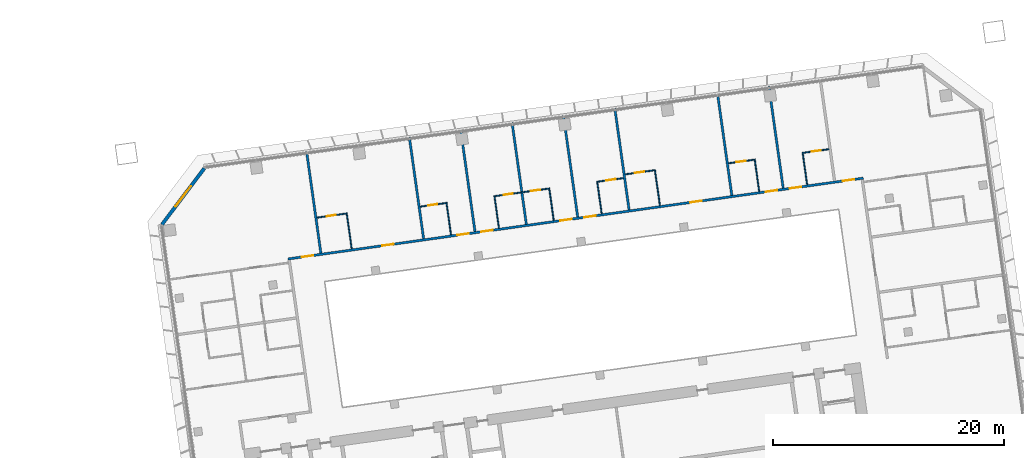
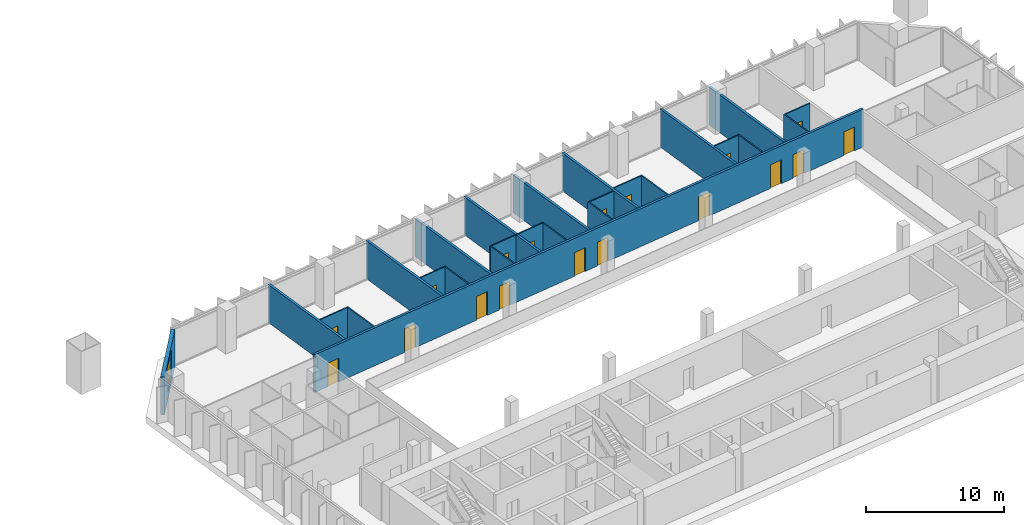
# One storey, part 20 of 24: 25 walls, 18 doors, 1 window, 19 openings.
"""IFC4 building model written with IfcOpenShell, lengths in metres."""

from ifc_helpers import new_model, si_unit, direction, frame, frame_2d, origin, place, context, subcontext, project, spatial, rectangle, extrude, material, layer, layer_set, type_object, element, fill, save


model = new_model("IFC4")

# Units and contexts
model_context = context("Model", 3, precision=1e-05, world=origin(), true_north=direction((0.0, 1.0)))
body_context = subcontext(model_context, "Body", "Model", "MODEL_VIEW")
ifc_project = project(units=[si_unit("LENGTHUNIT", "METRE"), si_unit("AREAUNIT", "SQUARE_METRE"), si_unit("VOLUMEUNIT", "CUBIC_METRE"), si_unit("PLANEANGLEUNIT", "RADIAN"), si_unit("MASSUNIT", "GRAM", prefix="KILO")], contexts=[model_context])

# Site, building, storey
site_placement = place(None, origin())
site = spatial("IfcSite", under=ifc_project, at=site_placement, CompositionType="ELEMENT")
building_placement = place(site_placement, origin())
building = spatial("IfcBuilding", under=site, at=building_placement, Name="Mirante Cascada Hotel Towers", CompositionType="ELEMENT")
storey_placement = place(building_placement, frame((0.0, 0.0, 50.9)))
storey = spatial("IfcBuildingStorey", under=building, at=storey_placement, Name="L09", CompositionType="ELEMENT", Elevation=50.9)

# Wall, openings, doors
ifc_material_1 = material(Name="Fire-rated plasterboard on metal studs")
ifc_layer_1 = layer(ifc_material_1, 0.2)
ifc_layer_set_1 = layer_set([ifc_layer_1], Name="Compartment wall 200 EI 120")
wall_type_1 = type_object("IfcWallType", Name="Compartment wall 200 EI 120", PredefinedType="PARTITIONING", material=ifc_layer_set_1)
wall_1_placement = place(storey_placement, frame((89.0146, 16.3922, 0.0), z_axis=(0.0, 0.0, 1.0), x_axis=(-0.9902681, -0.1391727, 0.0)))
wall_1 = element("IfcWall", 1, at=wall_1_placement, inside=storey, type_object=wall_type_1, Name="Wall 2-L09-19", PredefinedType="PARTITIONING", context=body_context, shape_type="SweptSolid", body=[
    extrude(rectangle(XDim=50.4, YDim=0.2, at=frame_2d((25.2, 0.0))), origin(), (0.0, 0.0, 1.0), 3.35),
])
opening_1_placement = place(wall_1_placement, frame((48.2, 0.0, 0.0)))
opening_1 = element("IfcOpeningElement", 2, at=opening_1_placement, cuts=wall_1, Name="Opening D2-L09-12", PredefinedType="OPENING", context=body_context, shape_type="SweptSolid", body=[
    extrude(rectangle(XDim=1.0, YDim=2.1, at=frame_2d((0.5, 1.05))), frame((0.0, 0.1, 0.0), z_axis=(0.0, -1.0, 0.0), x_axis=(1.0, 0.0, 0.0)), (0.0, 0.0, 1.0), 0.2),
])
opening_2_placement = place(wall_1_placement, frame((41.15, 0.0, 0.0)))
opening_2 = element("IfcOpeningElement", 3, at=opening_2_placement, cuts=wall_1, Name="Opening D2-L09-13", PredefinedType="OPENING", context=body_context, shape_type="SweptSolid", body=[
    extrude(rectangle(XDim=1.0, YDim=2.1, at=frame_2d((0.5, 1.05))), frame((0.0, 0.1, 0.0), z_axis=(0.0, -1.0, 0.0), x_axis=(1.0, 0.0, 0.0)), (0.0, 0.0, 1.0), 0.2),
])
opening_3_placement = place(wall_1_placement, frame((34.55, 0.0, 0.0)))
opening_3 = element("IfcOpeningElement", 4, at=opening_3_placement, cuts=wall_1, Name="Opening D2-L09-14", PredefinedType="OPENING", context=body_context, shape_type="SweptSolid", body=[
    extrude(rectangle(XDim=1.0, YDim=2.1, at=frame_2d((0.5, 1.05))), frame((0.0, 0.1, 0.0), z_axis=(0.0, -1.0, 0.0), x_axis=(1.0, 0.0, 0.0)), (0.0, 0.0, 1.0), 0.2),
])
opening_4_placement = place(wall_1_placement, frame((32.45, 0.0, 0.0)))
opening_4 = element("IfcOpeningElement", 5, at=opening_4_placement, cuts=wall_1, Name="Opening D2-L09-15", PredefinedType="OPENING", context=body_context, shape_type="SweptSolid", body=[
    extrude(rectangle(XDim=1.0, YDim=2.1, at=frame_2d((0.5, 1.05))), frame((0.0, 0.1, 0.0), z_axis=(0.0, -1.0, 0.0), x_axis=(1.0, 0.0, 0.0)), (0.0, 0.0, 1.0), 0.2),
])
opening_5_placement = place(wall_1_placement, frame((25.55, 0.0, 0.0)))
opening_5 = element("IfcOpeningElement", 6, at=opening_5_placement, cuts=wall_1, Name="Opening D2-L09-16", PredefinedType="OPENING", context=body_context, shape_type="SweptSolid", body=[
    extrude(rectangle(XDim=1.0, YDim=2.1, at=frame_2d((0.5, 1.05))), frame((0.0, 0.1, 0.0), z_axis=(0.0, -1.0, 0.0), x_axis=(1.0, 0.0, 0.0)), (0.0, 0.0, 1.0), 0.2),
])
opening_6_placement = place(wall_1_placement, frame((23.45, 0.0, 0.0)))
opening_6 = element("IfcOpeningElement", 7, at=opening_6_placement, cuts=wall_1, Name="Opening D2-L09-17", PredefinedType="OPENING", context=body_context, shape_type="SweptSolid", body=[
    extrude(rectangle(XDim=1.0, YDim=2.1, at=frame_2d((0.5, 1.05))), frame((0.0, 0.1, 0.0), z_axis=(0.0, -1.0, 0.0), x_axis=(1.0, 0.0, 0.0)), (0.0, 0.0, 1.0), 0.2),
])
opening_7_placement = place(wall_1_placement, frame((14.15, 0.0, 0.0)))
opening_7 = element("IfcOpeningElement", 8, at=opening_7_placement, cuts=wall_1, Name="Opening D2-L09-18", PredefinedType="OPENING", context=body_context, shape_type="SweptSolid", body=[
    extrude(rectangle(XDim=1.0, YDim=2.1, at=frame_2d((0.5, 1.05))), frame((0.0, 0.1, 0.0), z_axis=(0.0, -1.0, 0.0), x_axis=(1.0, 0.0, 0.0)), (0.0, 0.0, 1.0), 0.2),
])
opening_8_placement = place(wall_1_placement, frame((7.55, 0.0, 0.0)))
opening_8 = element("IfcOpeningElement", 9, at=opening_8_placement, cuts=wall_1, Name="Opening D2-L09-19", PredefinedType="OPENING", context=body_context, shape_type="SweptSolid", body=[
    extrude(rectangle(XDim=1.0, YDim=2.1, at=frame_2d((0.5, 1.05))), frame((0.0, 0.1, 0.0), z_axis=(0.0, -1.0, 0.0), x_axis=(1.0, 0.0, 0.0)), (0.0, 0.0, 1.0), 0.2),
])
opening_9_placement = place(wall_1_placement, frame((5.45, 0.0, 0.0)))
opening_9 = element("IfcOpeningElement", 10, at=opening_9_placement, cuts=wall_1, Name="Opening D2-L09-20", PredefinedType="OPENING", context=body_context, shape_type="SweptSolid", body=[
    extrude(rectangle(XDim=1.0, YDim=2.1, at=frame_2d((0.5, 1.05))), frame((0.0, 0.1, 0.0), z_axis=(0.0, -1.0, 0.0), x_axis=(1.0, 0.0, 0.0)), (0.0, 0.0, 1.0), 0.2),
])
opening_10_placement = place(wall_1_placement, frame((0.8, 0.0, 0.0)))
opening_10 = element("IfcOpeningElement", 11, at=opening_10_placement, cuts=wall_1, Name="Opening D2-L09-21", PredefinedType="OPENING", context=body_context, shape_type="SweptSolid", body=[
    extrude(rectangle(XDim=1.0, YDim=2.1, at=frame_2d((0.5, 1.05))), frame((0.0, 0.1, 0.0), z_axis=(0.0, -1.0, 0.0), x_axis=(1.0, 0.0, 0.0)), (0.0, 0.0, 1.0), 0.2),
])
ifc_material_2 = material(Name="Fire-rated timber door leaf", Category="wood")
door_type_1 = type_object("IfcDoorType", Name="Entrance door DG1 1000x2100 EI 60", OperationType="SINGLE_SWING_LEFT", PredefinedType="DOOR", material=ifc_material_2)
door_1_placement = place(opening_1_placement, frame((1.0, 0.0, 0.0), z_axis=(0.0, 0.0, 1.0), x_axis=(-1.0, 0.0, 0.0)))
door_1 = element("IfcDoor", 12, at=door_1_placement, inside=storey, type_object=door_type_1, Name="Door D2-L09-12", OperationType="SINGLE_SWING_RIGHT", OverallHeight=2.1, OverallWidth=1.0, PredefinedType="DOOR", context=body_context, shape_type="SweptSolid", body=[
    extrude(rectangle(XDim=1.0, YDim=2.1, at=frame_2d((0.5, 1.05))), frame((0.0, 0.025, 0.0), z_axis=(0.0, -1.0, 0.0), x_axis=(1.0, 0.0, 0.0)), (0.0, 0.0, 1.0), 0.05),
])
fill(opening_1, door_1)
door_2_placement = place(opening_2_placement, frame((1.0, 0.0, 0.0), z_axis=(0.0, 0.0, 1.0), x_axis=(-1.0, 0.0, 0.0)))
door_2 = element("IfcDoor", 13, at=door_2_placement, inside=storey, type_object=door_type_1, Name="Door D2-L09-13", OperationType="SINGLE_SWING_RIGHT", OverallHeight=2.1, OverallWidth=1.0, PredefinedType="DOOR", context=body_context, shape_type="SweptSolid", body=[
    extrude(rectangle(XDim=1.0, YDim=2.1, at=frame_2d((0.5, 1.05))), frame((0.0, 0.025, 0.0), z_axis=(0.0, -1.0, 0.0), x_axis=(1.0, 0.0, 0.0)), (0.0, 0.0, 1.0), 0.05),
])
fill(opening_2, door_2)
door_3_placement = place(opening_3_placement, frame((1.0, 0.0, 0.0), z_axis=(0.0, 0.0, 1.0), x_axis=(-1.0, 0.0, 0.0)))
door_3 = element("IfcDoor", 14, at=door_3_placement, inside=storey, type_object=door_type_1, Name="Door D2-L09-14", OperationType="SINGLE_SWING_RIGHT", OverallHeight=2.1, OverallWidth=1.0, PredefinedType="DOOR", context=body_context, shape_type="SweptSolid", body=[
    extrude(rectangle(XDim=1.0, YDim=2.1, at=frame_2d((0.5, 1.05))), frame((0.0, 0.025, 0.0), z_axis=(0.0, -1.0, 0.0), x_axis=(1.0, 0.0, 0.0)), (0.0, 0.0, 1.0), 0.05),
])
fill(opening_3, door_3)
door_4_placement = place(opening_4_placement, frame((1.0, 0.0, 0.0), z_axis=(0.0, 0.0, 1.0), x_axis=(-1.0, 0.0, 0.0)))
door_4 = element("IfcDoor", 15, at=door_4_placement, inside=storey, type_object=door_type_1, Name="Door D2-L09-15", OperationType="SINGLE_SWING_RIGHT", OverallHeight=2.1, OverallWidth=1.0, PredefinedType="DOOR", context=body_context, shape_type="SweptSolid", body=[
    extrude(rectangle(XDim=1.0, YDim=2.1, at=frame_2d((0.5, 1.05))), frame((0.0, 0.025, 0.0), z_axis=(0.0, -1.0, 0.0), x_axis=(1.0, 0.0, 0.0)), (0.0, 0.0, 1.0), 0.05),
])
fill(opening_4, door_4)
door_5_placement = place(opening_5_placement, frame((1.0, 0.0, 0.0), z_axis=(0.0, 0.0, 1.0), x_axis=(-1.0, 0.0, 0.0)))
door_5 = element("IfcDoor", 16, at=door_5_placement, inside=storey, type_object=door_type_1, Name="Door D2-L09-16", OperationType="SINGLE_SWING_RIGHT", OverallHeight=2.1, OverallWidth=1.0, PredefinedType="DOOR", context=body_context, shape_type="SweptSolid", body=[
    extrude(rectangle(XDim=1.0, YDim=2.1, at=frame_2d((0.5, 1.05))), frame((0.0, 0.025, 0.0), z_axis=(0.0, -1.0, 0.0), x_axis=(1.0, 0.0, 0.0)), (0.0, 0.0, 1.0), 0.05),
])
fill(opening_5, door_5)
door_6_placement = place(opening_6_placement, frame((1.0, 0.0, 0.0), z_axis=(0.0, 0.0, 1.0), x_axis=(-1.0, 0.0, 0.0)))
door_6 = element("IfcDoor", 17, at=door_6_placement, inside=storey, type_object=door_type_1, Name="Door D2-L09-17", OperationType="SINGLE_SWING_RIGHT", OverallHeight=2.1, OverallWidth=1.0, PredefinedType="DOOR", context=body_context, shape_type="SweptSolid", body=[
    extrude(rectangle(XDim=1.0, YDim=2.1, at=frame_2d((0.5, 1.05))), frame((0.0, 0.025, 0.0), z_axis=(0.0, -1.0, 0.0), x_axis=(1.0, 0.0, 0.0)), (0.0, 0.0, 1.0), 0.05),
])
fill(opening_6, door_6)
door_7_placement = place(opening_7_placement, frame((1.0, 0.0, 0.0), z_axis=(0.0, 0.0, 1.0), x_axis=(-1.0, 0.0, 0.0)))
door_7 = element("IfcDoor", 18, at=door_7_placement, inside=storey, type_object=door_type_1, Name="Door D2-L09-18", OperationType="SINGLE_SWING_RIGHT", OverallHeight=2.1, OverallWidth=1.0, PredefinedType="DOOR", context=body_context, shape_type="SweptSolid", body=[
    extrude(rectangle(XDim=1.0, YDim=2.1, at=frame_2d((0.5, 1.05))), frame((0.0, 0.025, 0.0), z_axis=(0.0, -1.0, 0.0), x_axis=(1.0, 0.0, 0.0)), (0.0, 0.0, 1.0), 0.05),
])
fill(opening_7, door_7)
door_8_placement = place(opening_8_placement, frame((1.0, 0.0, 0.0), z_axis=(0.0, 0.0, 1.0), x_axis=(-1.0, 0.0, 0.0)))
door_8 = element("IfcDoor", 19, at=door_8_placement, inside=storey, type_object=door_type_1, Name="Door D2-L09-19", OperationType="SINGLE_SWING_RIGHT", OverallHeight=2.1, OverallWidth=1.0, PredefinedType="DOOR", context=body_context, shape_type="SweptSolid", body=[
    extrude(rectangle(XDim=1.0, YDim=2.1, at=frame_2d((0.5, 1.05))), frame((0.0, 0.025, 0.0), z_axis=(0.0, -1.0, 0.0), x_axis=(1.0, 0.0, 0.0)), (0.0, 0.0, 1.0), 0.05),
])
fill(opening_8, door_8)
door_9_placement = place(opening_9_placement, frame((1.0, 0.0, 0.0), z_axis=(0.0, 0.0, 1.0), x_axis=(-1.0, 0.0, 0.0)))
door_9 = element("IfcDoor", 20, at=door_9_placement, inside=storey, type_object=door_type_1, Name="Door D2-L09-20", OperationType="SINGLE_SWING_RIGHT", OverallHeight=2.1, OverallWidth=1.0, PredefinedType="DOOR", context=body_context, shape_type="SweptSolid", body=[
    extrude(rectangle(XDim=1.0, YDim=2.1, at=frame_2d((0.5, 1.05))), frame((0.0, 0.025, 0.0), z_axis=(0.0, -1.0, 0.0), x_axis=(1.0, 0.0, 0.0)), (0.0, 0.0, 1.0), 0.05),
])
fill(opening_9, door_9)
door_10_placement = place(opening_10_placement, frame((1.0, 0.0, 0.0), z_axis=(0.0, 0.0, 1.0), x_axis=(-1.0, 0.0, 0.0)))
door_10 = element("IfcDoor", 21, at=door_10_placement, inside=storey, type_object=door_type_1, Name="Door D2-L09-21", OperationType="SINGLE_SWING_RIGHT", OverallHeight=2.1, OverallWidth=1.0, PredefinedType="DOOR", context=body_context, shape_type="SweptSolid", body=[
    extrude(rectangle(XDim=1.0, YDim=2.1, at=frame_2d((0.5, 1.05))), frame((0.0, 0.025, 0.0), z_axis=(0.0, -1.0, 0.0), x_axis=(1.0, 0.0, 0.0)), (0.0, 0.0, 1.0), 0.05),
])
fill(opening_10, door_10)

# Walls
for number, where, z_axis, x_axis, name in (
    (22, (40.7243, 18.6939, 0.0), (0.0, 0.0, 1.0), (0.1391794, -0.9902672, 0.0), "Wall 2-L09-33"),
    (23, (49.6367, 19.9465, 0.0), (0.0, 0.0, 1.0), (0.1391794, -0.9902672, 0.0), "Wall 2-L09-35"),
    (24, (54.0929, 20.5728, 0.0), (0.0, 0.0, 1.0), (0.1391794, -0.9902672, 0.0), "Wall 2-L09-37"),
):
    element("IfcWall", number, at=place(storey_placement, frame(where, z_axis=z_axis, x_axis=x_axis)), inside=storey, type_object=wall_type_1, Name=name, PredefinedType="PARTITIONING", context=body_context, shape_type="SweptSolid", body=[
        extrude(rectangle(XDim=8.9, YDim=0.2, at=frame_2d((4.45, 0.0))), origin(), (0.0, 0.0, 1.0), 3.35),
    ])
wall_2_placement = place(storey_placement, frame((58.5492, 21.199, 0.0), z_axis=(0.0, 0.0, 1.0), x_axis=(0.13917, -0.9902685, 0.0)))
element("IfcWall", 25, at=wall_2_placement, inside=storey, type_object=wall_type_1, Name="Wall 2-L09-39", PredefinedType="PARTITIONING", context=body_context, shape_type="SweptSolid", body=[
    extrude(rectangle(XDim=8.8999, YDim=0.2, at=frame_2d((4.45, 0.0))), origin(), (0.0, 0.0, 1.0), 3.35),
])
for number, where, z_axis, x_axis, name in (
    (26, (63.0054, 21.8253, 0.0), (0.0, 0.0, 1.0), (0.1391684, -0.9902687, 0.0), "Wall 2-L09-41"),
    (27, (67.4616, 22.4516, 0.0), (0.0, 0.0, 1.0), (0.1391684, -0.9902687, 0.0), "Wall 2-L09-43"),
    (28, (76.374, 23.7042, 0.0), (0.0, 0.0, 1.0), (0.1391684, -0.9902687, 0.0), "Wall 2-L09-45"),
):
    element("IfcWall", number, at=place(storey_placement, frame(where, z_axis=z_axis, x_axis=x_axis)), inside=storey, type_object=wall_type_1, Name=name, PredefinedType="PARTITIONING", context=body_context, shape_type="SweptSolid", body=[
        extrude(rectangle(XDim=8.9, YDim=0.2, at=frame_2d((4.45, 0.0))), origin(), (0.0, 0.0, 1.0), 3.35),
    ])
wall_3_placement = place(storey_placement, frame((80.8302, 24.3304, 0.0), z_axis=(0.0, 0.0, 1.0), x_axis=(0.13917, -0.9902685, 0.0)))
element("IfcWall", 29, at=wall_3_placement, inside=storey, type_object=wall_type_1, Name="Wall 2-L09-47", PredefinedType="PARTITIONING", context=body_context, shape_type="SweptSolid", body=[
    extrude(rectangle(XDim=8.8999, YDim=0.2, at=frame_2d((4.45, 0.0))), origin(), (0.0, 0.0, 1.0), 3.35),
])

# Wall, opening, door
ifc_material_3 = material(Name="Plasterboard on metal studs")
ifc_layer_2 = layer(ifc_material_3, 0.1)
ifc_layer_set_2 = layer_set([ifc_layer_2], Name="Partition 100")
wall_type_2 = type_object("IfcWallType", Name="Partition 100", PredefinedType="PARTITIONING", material=ifc_layer_set_2)
wall_4_placement = place(storey_placement, frame((50.5847, 13.9198, 0.0), z_axis=(0.0, 0.0, 1.0), x_axis=(0.9902705, 0.1391561, 0.0)))
wall_4 = element("IfcWall", 30, at=wall_4_placement, inside=storey, type_object=wall_type_2, Name="Wall 2-L09-20", PredefinedType="PARTITIONING", context=body_context, shape_type="SweptSolid", body=[
    extrude(rectangle(XDim=2.25, YDim=0.1, at=frame_2d((1.125, 0.0))), origin(), (0.0, 0.0, 1.0), 3.35),
])
opening_11_placement = place(wall_4_placement, frame((0.7, 0.0, 0.0)))
opening_11 = element("IfcOpeningElement", 31, at=opening_11_placement, cuts=wall_4, Name="Opening D2-L09-22", PredefinedType="OPENING", context=body_context, shape_type="SweptSolid", body=[
    extrude(rectangle(XDim=0.8, YDim=2.1, at=frame_2d((0.4, 1.05))), frame((0.0, 0.05, 0.0), z_axis=(0.0, -1.0, 0.0), x_axis=(1.0, 0.0, 0.0)), (0.0, 0.0, 1.0), 0.1),
])
ifc_material_4 = material(Name="Timber door leaf", Category="wood")
door_type_2 = type_object("IfcDoorType", Name="Bathroom door DG4 800x2100", OperationType="SINGLE_SWING_LEFT", PredefinedType="DOOR", material=ifc_material_4)
door_11_placement = place(opening_11_placement, origin())
door_11 = element("IfcDoor", 32, at=door_11_placement, inside=storey, type_object=door_type_2, Name="Door D2-L09-22", OperationType="SINGLE_SWING_LEFT", OverallHeight=2.1, OverallWidth=0.8, PredefinedType="DOOR", context=body_context, shape_type="SweptSolid", body=[
    extrude(rectangle(XDim=0.8, YDim=2.1, at=frame_2d((0.4, 1.05))), frame((0.0, 0.025, 0.0), z_axis=(0.0, -1.0, 0.0), x_axis=(1.0, 0.0, 0.0)), (0.0, 0.0, 1.0), 0.05),
])
fill(opening_11, door_11)

# Wall, openings, doors
wall_5_placement = place(storey_placement, frame((61.8243, 15.4994, 0.0), z_axis=(0.0, 0.0, 1.0), x_axis=(-0.9902666, -0.1391838, 0.0)))
wall_5 = element("IfcWall", 33, at=wall_5_placement, inside=storey, type_object=wall_type_2, Name="Wall 2-L09-21", PredefinedType="PARTITIONING", context=body_context, shape_type="SweptSolid", body=[
    extrude(rectangle(XDim=4.9, YDim=0.1, at=frame_2d((2.45, 0.0))), origin(), (0.0, 0.0, 1.0), 3.35),
])
opening_12_placement = place(wall_5_placement, frame((3.25, 0.0, 0.0)))
opening_12 = element("IfcOpeningElement", 34, at=opening_12_placement, cuts=wall_5, Name="Opening D2-L09-23", PredefinedType="OPENING", context=body_context, shape_type="SweptSolid", body=[
    extrude(rectangle(XDim=0.8, YDim=2.1, at=frame_2d((0.4, 1.05))), frame((0.0, 0.05, 0.0), z_axis=(0.0, -1.0, 0.0), x_axis=(1.0, 0.0, 0.0)), (0.0, 0.0, 1.0), 0.1),
])
opening_13_placement = place(wall_5_placement, frame((0.85, 0.0, 0.0)))
opening_13 = element("IfcOpeningElement", 35, at=opening_13_placement, cuts=wall_5, Name="Opening D2-L09-24", PredefinedType="OPENING", context=body_context, shape_type="SweptSolid", body=[
    extrude(rectangle(XDim=0.8, YDim=2.1, at=frame_2d((0.4, 1.05))), frame((0.0, 0.05, 0.0), z_axis=(0.0, -1.0, 0.0), x_axis=(1.0, 0.0, 0.0)), (0.0, 0.0, 1.0), 0.1),
])
door_12_placement = place(opening_12_placement, frame((0.8, 0.0, 0.0), z_axis=(0.0, 0.0, 1.0), x_axis=(-1.0, 0.0, 0.0)))
door_12 = element("IfcDoor", 36, at=door_12_placement, inside=storey, type_object=door_type_2, Name="Door D2-L09-23", OperationType="SINGLE_SWING_RIGHT", OverallHeight=2.1, OverallWidth=0.8, PredefinedType="DOOR", context=body_context, shape_type="SweptSolid", body=[
    extrude(rectangle(XDim=0.8, YDim=2.1, at=frame_2d((0.4, 1.05))), frame((0.0, 0.025, 0.0), z_axis=(0.0, -1.0, 0.0), x_axis=(1.0, 0.0, 0.0)), (0.0, 0.0, 1.0), 0.05),
])
fill(opening_12, door_12)
door_13_placement = place(opening_13_placement, frame((0.8, 0.0, 0.0), z_axis=(0.0, 0.0, 1.0), x_axis=(-1.0, 0.0, 0.0)))
door_13 = element("IfcDoor", 37, at=door_13_placement, inside=storey, type_object=door_type_2, Name="Door D2-L09-24", OperationType="SINGLE_SWING_RIGHT", OverallHeight=2.1, OverallWidth=0.8, PredefinedType="DOOR", context=body_context, shape_type="SweptSolid", body=[
    extrude(rectangle(XDim=0.8, YDim=2.1, at=frame_2d((0.4, 1.05))), frame((0.0, 0.025, 0.0), z_axis=(0.0, -1.0, 0.0), x_axis=(1.0, 0.0, 0.0)), (0.0, 0.0, 1.0), 0.05),
])
fill(opening_13, door_13)

# Wall, opening, door
wall_6_placement = place(storey_placement, frame((65.9834, 16.0839, 0.0), z_axis=(0.0, 0.0, 1.0), x_axis=(0.9902643, 0.1391997, 0.0)))
wall_6 = element("IfcWall", 38, at=wall_6_placement, inside=storey, type_object=wall_type_2, Name="Wall 2-L09-22", PredefinedType="PARTITIONING", context=body_context, shape_type="SweptSolid", body=[
    extrude(rectangle(XDim=2.25, YDim=0.1, at=frame_2d((1.125, 0.0))), origin(), (0.0, 0.0, 1.0), 3.35),
])
opening_14_placement = place(wall_6_placement, frame((0.75, 0.0, 0.0)))
opening_14 = element("IfcOpeningElement", 39, at=opening_14_placement, cuts=wall_6, Name="Opening D2-L09-25", PredefinedType="OPENING", context=body_context, shape_type="SweptSolid", body=[
    extrude(rectangle(XDim=0.8, YDim=2.1, at=frame_2d((0.4, 1.05))), frame((0.0, 0.05, 0.0), z_axis=(0.0, -1.0, 0.0), x_axis=(1.0, 0.0, 0.0)), (0.0, 0.0, 1.0), 0.1),
])
door_14_placement = place(opening_14_placement, origin())
door_14 = element("IfcDoor", 40, at=door_14_placement, inside=storey, type_object=door_type_2, Name="Door D2-L09-25", OperationType="SINGLE_SWING_LEFT", OverallHeight=2.1, OverallWidth=0.8, PredefinedType="DOOR", context=body_context, shape_type="SweptSolid", body=[
    extrude(rectangle(XDim=0.8, YDim=2.1, at=frame_2d((0.4, 1.05))), frame((0.0, 0.025, 0.0), z_axis=(0.0, -1.0, 0.0), x_axis=(1.0, 0.0, 0.0)), (0.0, 0.0, 1.0), 0.05),
])
fill(opening_14, door_14)

wall_7_placement = place(storey_placement, frame((79.5501, 17.9906, 0.0), z_axis=(0.0, 0.0, 1.0), x_axis=(-0.9902643, -0.1391997, 0.0)))
wall_7 = element("IfcWall", 41, at=wall_7_placement, inside=storey, type_object=wall_type_2, Name="Wall 2-L09-23", PredefinedType="PARTITIONING", context=body_context, shape_type="SweptSolid", body=[
    extrude(rectangle(XDim=2.25, YDim=0.1, at=frame_2d((1.125, 0.0))), origin(), (0.0, 0.0, 1.0), 3.35),
])
opening_15_placement = place(wall_7_placement, frame((0.75, 0.0, 0.0)))
opening_15 = element("IfcOpeningElement", 42, at=opening_15_placement, cuts=wall_7, Name="Opening D2-L09-26", PredefinedType="OPENING", context=body_context, shape_type="SweptSolid", body=[
    extrude(rectangle(XDim=0.8, YDim=2.1, at=frame_2d((0.4, 1.05))), frame((0.0, 0.05, 0.0), z_axis=(0.0, -1.0, 0.0), x_axis=(1.0, 0.0, 0.0)), (0.0, 0.0, 1.0), 0.1),
])
door_15_placement = place(opening_15_placement, frame((0.8, 0.0, 0.0), z_axis=(0.0, 0.0, 1.0), x_axis=(-1.0, 0.0, 0.0)))
door_15 = element("IfcDoor", 43, at=door_15_placement, inside=storey, type_object=door_type_2, Name="Door D2-L09-26", OperationType="SINGLE_SWING_RIGHT", OverallHeight=2.1, OverallWidth=0.8, PredefinedType="DOOR", context=body_context, shape_type="SweptSolid", body=[
    extrude(rectangle(XDim=0.8, YDim=2.1, at=frame_2d((0.4, 1.05))), frame((0.0, 0.025, 0.0), z_axis=(0.0, -1.0, 0.0), x_axis=(1.0, 0.0, 0.0)), (0.0, 0.0, 1.0), 0.05),
])
fill(opening_15, door_15)

wall_8_placement = place(storey_placement, frame((83.8082, 18.589, 0.0), z_axis=(0.0, 0.0, 1.0), x_axis=(0.9902643, 0.1391997, 0.0)))
wall_8 = element("IfcWall", 44, at=wall_8_placement, inside=storey, type_object=wall_type_2, Name="Wall 2-L09-24", PredefinedType="PARTITIONING", context=body_context, shape_type="SweptSolid", body=[
    extrude(rectangle(XDim=2.25, YDim=0.1, at=frame_2d((1.125, 0.0))), origin(), (0.0, 0.0, 1.0), 3.35),
])
opening_16_placement = place(wall_8_placement, frame((0.75, 0.0, 0.0)))
opening_16 = element("IfcOpeningElement", 45, at=opening_16_placement, cuts=wall_8, Name="Opening D2-L09-27", PredefinedType="OPENING", context=body_context, shape_type="SweptSolid", body=[
    extrude(rectangle(XDim=0.8, YDim=2.1, at=frame_2d((0.4, 1.05))), frame((0.0, 0.05, 0.0), z_axis=(0.0, -1.0, 0.0), x_axis=(1.0, 0.0, 0.0)), (0.0, 0.0, 1.0), 0.1),
])
door_16_placement = place(opening_16_placement, origin())
door_16 = element("IfcDoor", 46, at=door_16_placement, inside=storey, type_object=door_type_2, Name="Door D2-L09-27", OperationType="SINGLE_SWING_LEFT", OverallHeight=2.1, OverallWidth=0.8, PredefinedType="DOOR", context=body_context, shape_type="SweptSolid", body=[
    extrude(rectangle(XDim=0.8, YDim=2.1, at=frame_2d((0.4, 1.05))), frame((0.0, 0.025, 0.0), z_axis=(0.0, -1.0, 0.0), x_axis=(1.0, 0.0, 0.0)), (0.0, 0.0, 1.0), 0.05),
])
fill(opening_16, door_16)

wall_9_placement = place(storey_placement, frame((44.1557, 13.3192, 0.0), z_axis=(0.0, 0.0, 1.0), x_axis=(-0.990267, -0.1391809, 0.0)))
wall_9 = element("IfcWall", 47, at=wall_9_placement, inside=storey, type_object=wall_type_2, Name="Wall 2-L09-25", PredefinedType="PARTITIONING", context=body_context, shape_type="SweptSolid", body=[
    extrude(rectangle(XDim=2.5499, YDim=0.1, at=frame_2d((1.275, 0.0))), origin(), (0.0, 0.0, 1.0), 3.35),
])
opening_17_placement = place(wall_9_placement, frame((0.9, 0.0, 0.0)))
opening_17 = element("IfcOpeningElement", 48, at=opening_17_placement, cuts=wall_9, Name="Opening D2-L09-28", PredefinedType="OPENING", context=body_context, shape_type="SweptSolid", body=[
    extrude(rectangle(XDim=0.8, YDim=2.1, at=frame_2d((0.4, 1.05))), frame((0.0, 0.05, 0.0), z_axis=(0.0, -1.0, 0.0), x_axis=(1.0, 0.0, 0.0)), (0.0, 0.0, 1.0), 0.1),
])
door_17_placement = place(opening_17_placement, frame((0.8, 0.0, 0.0), z_axis=(0.0, 0.0, 1.0), x_axis=(-1.0, 0.0, 0.0)))
door_17 = element("IfcDoor", 49, at=door_17_placement, inside=storey, type_object=door_type_2, Name="Door D2-L09-28", OperationType="SINGLE_SWING_RIGHT", OverallHeight=2.1, OverallWidth=0.8, PredefinedType="DOOR", context=body_context, shape_type="SweptSolid", body=[
    extrude(rectangle(XDim=0.8, YDim=2.1, at=frame_2d((0.4, 1.05))), frame((0.0, 0.025, 0.0), z_axis=(0.0, -1.0, 0.0), x_axis=(1.0, 0.0, 0.0)), (0.0, 0.0, 1.0), 0.05),
])
fill(opening_17, door_17)

wall_10_placement = place(storey_placement, frame((68.3678, 16.722, 0.0), z_axis=(0.0, 0.0, 1.0), x_axis=(0.9902677, 0.1391755, 0.0)))
wall_10 = element("IfcWall", 50, at=wall_10_placement, inside=storey, type_object=wall_type_2, Name="Wall 2-L09-26", PredefinedType="PARTITIONING", context=body_context, shape_type="SweptSolid", body=[
    extrude(rectangle(XDim=2.55, YDim=0.1, at=frame_2d((1.275, 0.0))), origin(), (0.0, 0.0, 1.0), 3.35),
])
opening_18_placement = place(wall_10_placement, frame((0.85, 0.0, 0.0)))
opening_18 = element("IfcOpeningElement", 51, at=opening_18_placement, cuts=wall_10, Name="Opening D2-L09-29", PredefinedType="OPENING", context=body_context, shape_type="SweptSolid", body=[
    extrude(rectangle(XDim=0.8, YDim=2.1, at=frame_2d((0.4, 1.05))), frame((0.0, 0.05, 0.0), z_axis=(0.0, -1.0, 0.0), x_axis=(1.0, 0.0, 0.0)), (0.0, 0.0, 1.0), 0.1),
])
door_18_placement = place(opening_18_placement, origin())
door_18 = element("IfcDoor", 52, at=door_18_placement, inside=storey, type_object=door_type_2, Name="Door D2-L09-29", OperationType="SINGLE_SWING_LEFT", OverallHeight=2.1, OverallWidth=0.8, PredefinedType="DOOR", context=body_context, shape_type="SweptSolid", body=[
    extrude(rectangle(XDim=0.8, YDim=2.1, at=frame_2d((0.4, 1.05))), frame((0.0, 0.025, 0.0), z_axis=(0.0, -1.0, 0.0), x_axis=(1.0, 0.0, 0.0)), (0.0, 0.0, 1.0), 0.05),
])
fill(opening_18, door_18)

# Walls
wall_11_placement = place(storey_placement, frame((44.6367, 10.2563, 0.0), z_axis=(0.0, 0.0, 1.0), x_axis=(-0.1391721, 0.9902682, 0.0)))
element("IfcWall", 53, at=wall_11_placement, inside=storey, type_object=wall_type_2, Name="Wall 2-L09-34", PredefinedType="PARTITIONING", context=body_context, shape_type="SweptSolid", body=[
    extrude(rectangle(XDim=3.1501, YDim=0.1, at=frame_2d((1.575, 0.0))), origin(), (0.0, 0.0, 1.0), 3.35),
])
wall_12_placement = place(storey_placement, frame((53.252, 11.4671, 0.0), z_axis=(0.0, 0.0, 1.0), x_axis=(-0.1391564, 0.9902704, 0.0)))
element("IfcWall", 54, at=wall_12_placement, inside=storey, type_object=wall_type_2, Name="Wall 2-L09-36", PredefinedType="PARTITIONING", context=body_context, shape_type="SweptSolid", body=[
    extrude(rectangle(XDim=2.85, YDim=0.1, at=frame_2d((1.425, 0.0))), origin(), (0.0, 0.0, 1.0), 3.35),
])
wall_13_placement = place(storey_placement, frame((57.4112, 12.0516, 0.0), z_axis=(0.0, 0.0, 1.0), x_axis=(-0.1391963, 0.9902648, 0.0)))
element("IfcWall", 55, at=wall_13_placement, inside=storey, type_object=wall_type_2, Name="Wall 2-L09-38", PredefinedType="PARTITIONING", context=body_context, shape_type="SweptSolid", body=[
    extrude(rectangle(XDim=2.7501, YDim=0.1, at=frame_2d((1.3751, 0.0))), origin(), (0.0, 0.0, 1.0), 3.35),
])
wall_14_placement = place(storey_placement, frame((62.1644, 12.7197, 0.0), z_axis=(0.0, 0.0, 1.0), x_axis=(-0.1391657, 0.9902691, 0.0)))
element("IfcWall", 56, at=wall_14_placement, inside=storey, type_object=wall_type_2, Name="Wall 2-L09-40", PredefinedType="PARTITIONING", context=body_context, shape_type="SweptSolid", body=[
    extrude(rectangle(XDim=2.75, YDim=0.1, at=frame_2d((1.375, 0.0))), origin(), (0.0, 0.0, 1.0), 3.35),
])
wall_15_placement = place(storey_placement, frame((66.3236, 13.3042, 0.0), z_axis=(0.0, 0.0, 1.0), x_axis=(-0.1391909, 0.9902656, 0.0)))
element("IfcWall", 57, at=wall_15_placement, inside=storey, type_object=wall_type_2, Name="Wall 2-L09-42", PredefinedType="PARTITIONING", context=body_context, shape_type="SweptSolid", body=[
    extrude(rectangle(XDim=2.85, YDim=0.1, at=frame_2d((1.425, 0.0))), origin(), (0.0, 0.0, 1.0), 3.35),
])
wall_16_placement = place(storey_placement, frame((71.3739, 14.014, 0.0), z_axis=(0.0, 0.0, 1.0), x_axis=(-0.1391765, 0.9902676, 0.0)))
element("IfcWall", 58, at=wall_16_placement, inside=storey, type_object=wall_type_2, Name="Wall 2-L09-44", PredefinedType="PARTITIONING", context=body_context, shape_type="SweptSolid", body=[
    extrude(rectangle(XDim=3.15, YDim=0.1, at=frame_2d((1.575, 0.0))), origin(), (0.0, 0.0, 1.0), 3.35),
])
for number, where, z_axis, x_axis, name in (
    (59, (79.9893, 15.2248, 0.0), (0.0, 0.0, 1.0), (-0.1391909, 0.9902656, 0.0), "Wall 2-L09-46"),
    (60, (84.1484, 15.8093, 0.0), (0.0, 0.0, 1.0), (-0.1391909, 0.9902656, 0.0), "Wall 2-L09-48"),
):
    element("IfcWall", number, at=place(storey_placement, frame(where, z_axis=z_axis, x_axis=x_axis)), inside=storey, type_object=wall_type_2, Name=name, PredefinedType="PARTITIONING", context=body_context, shape_type="SweptSolid", body=[
        extrude(rectangle(XDim=2.85, YDim=0.1, at=frame_2d((1.425, 0.0))), origin(), (0.0, 0.0, 1.0), 3.35),
    ])

# Wall, opening, window
ifc_material_5 = material(Name="Precast concrete C40/50", Category="concrete")
ifc_layer_3 = layer(ifc_material_5, 0.3)
ifc_layer_set_3 = layer_set([ifc_layer_3], Name="Precast concrete C40/50 cladding wall 300")
wall_type_3 = type_object("IfcWallType", Name="Precast concrete C40/50 cladding wall 300", PredefinedType="STANDARD", material=ifc_layer_set_3)
wall_17_placement = place(storey_placement, frame((31.857, 17.252, 0.0), z_axis=(0.0, 0.0, 1.0), x_axis=(-0.6018141, -0.7986362, 0.0)))
wall_17 = element("IfcWall", 61, at=wall_17_placement, inside=storey, type_object=wall_type_3, Name="Corner cladding wall T2 L09 front inner", PredefinedType="STANDARD", context=body_context, shape_type="SweptSolid", body=[
    extrude(rectangle(XDim=6.1157, YDim=0.3, at=frame_2d((3.0578, 0.0))), origin(), (0.0, 0.0, 1.0), 3.35),
])
opening_19_placement = place(wall_17_placement, frame((1.9578, 0.0, 0.6)))
opening_19 = element("IfcOpeningElement", 62, at=opening_19_placement, cuts=wall_17, Name="Opening W2-09-04", PredefinedType="OPENING", context=body_context, shape_type="SweptSolid", body=[
    extrude(rectangle(XDim=2.2, YDim=2.4, at=frame_2d((1.1, 1.2))), frame((0.0, 0.15, 0.0), z_axis=(0.0, -1.0, 0.0), x_axis=(1.0, 0.0, 0.0)), (0.0, 0.0, 1.0), 0.3),
])
ifc_material_6 = material(Name="Aluminium frame with clear double glazing", Category="aluminium")
window_type = type_object("IfcWindowType", Name="Corner suite window 2200x2400", PartitioningType="DOUBLE_PANEL_VERTICAL", PredefinedType="WINDOW", material=ifc_material_6)
window_placement = place(opening_19_placement, origin())
window = element("IfcWindow", 63, at=window_placement, inside=storey, type_object=window_type, Name="Window W2-09-04", OverallHeight=2.4, OverallWidth=2.2, PartitioningType="SINGLE_PANEL", PredefinedType="WINDOW", context=body_context, shape_type="SweptSolid", body=[
    extrude(rectangle(XDim=2.2, YDim=2.4, at=frame_2d((1.1, 1.2))), frame((0.0, 0.03, 0.0), z_axis=(0.0, -1.0, 0.0), x_axis=(1.0, 0.0, 0.0)), (0.0, 0.0, 1.0), 0.06),
])
fill(opening_19, window)

save(model, "model.ifc")
